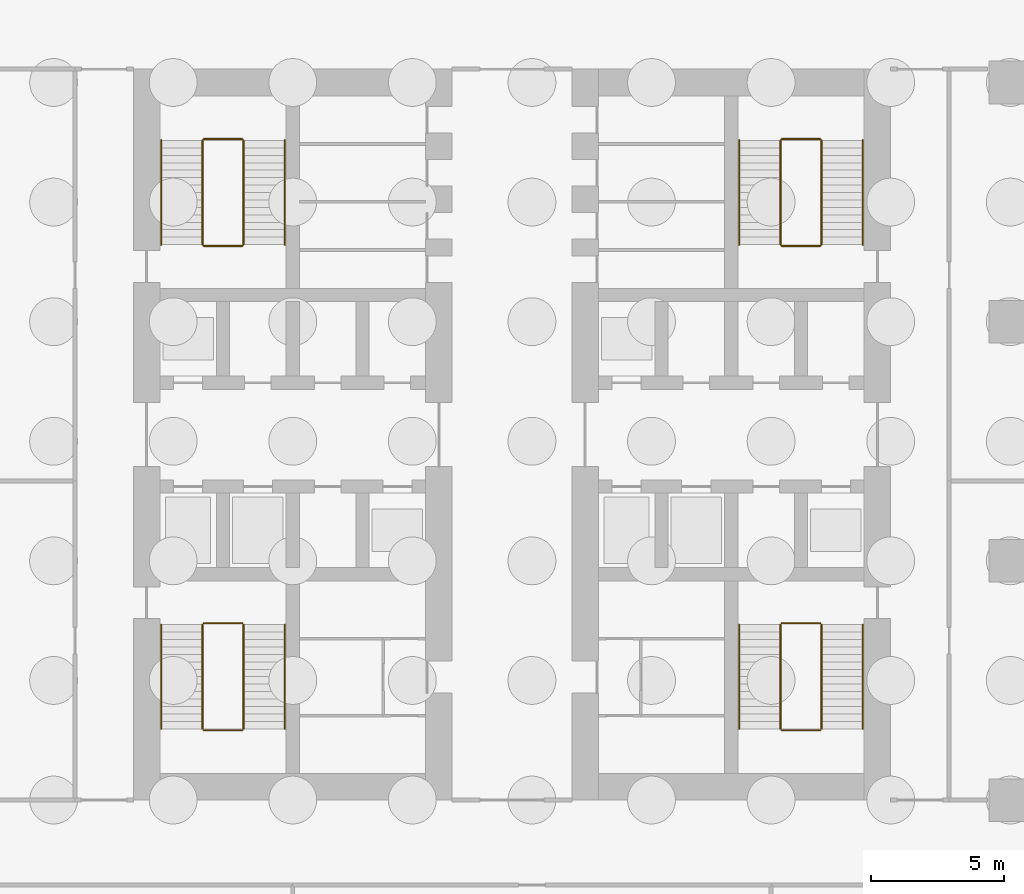
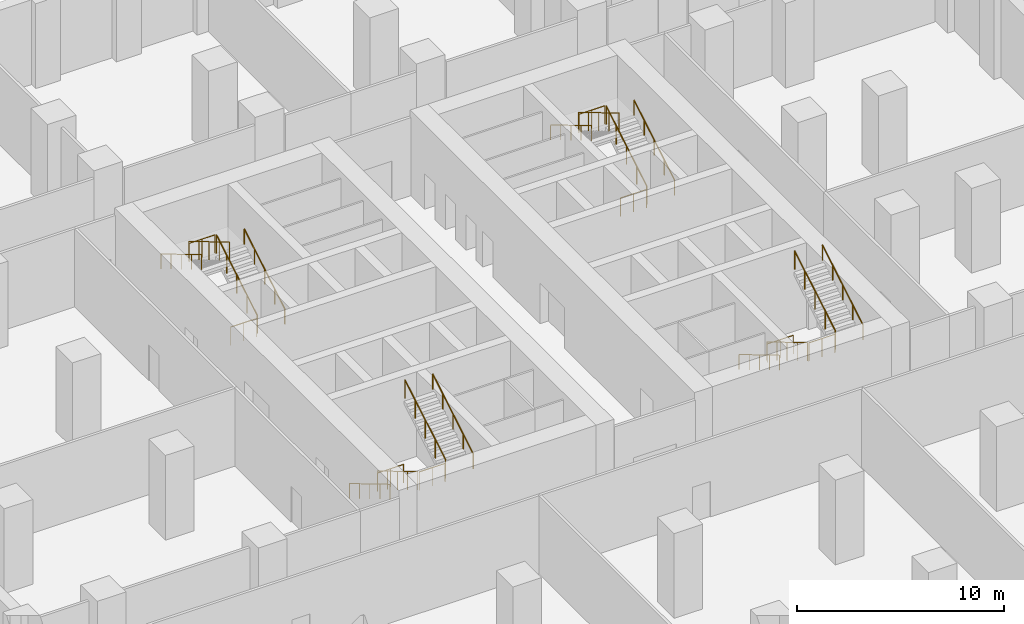
# One storey, part 8 of 9: 24 railings.
"""IFC4 building model written with IfcOpenShell, lengths in metres."""

from ifc_helpers import new_model, si_unit, direction, frame, origin, origin_2d, place, context, subcontext, project, spatial, circle, extrude, material, type_object, element, save


model = new_model("IFC4")

# Units and contexts
model_context = context("Model", 3, precision=1e-05, world=origin(), true_north=direction((0.0, 1.0)))
body_context = subcontext(model_context, "Body", "Model", "MODEL_VIEW")
ifc_project = project(units=[si_unit("LENGTHUNIT", "METRE"), si_unit("AREAUNIT", "SQUARE_METRE"), si_unit("VOLUMEUNIT", "CUBIC_METRE"), si_unit("PLANEANGLEUNIT", "RADIAN"), si_unit("MASSUNIT", "GRAM", prefix="KILO")], contexts=[model_context])

# Site, building, storey
site_placement = place(None, origin())
site = spatial("IfcSite", under=ifc_project, at=site_placement, CompositionType="ELEMENT")
building_placement = place(site_placement, origin())
building = spatial("IfcBuilding", under=site, at=building_placement, Name="Corbel Stack Research Tower", CompositionType="ELEMENT")
storey_placement = place(building_placement, frame((0.0, 0.0, -10.0)))
storey = spatial("IfcBuildingStorey", under=building, at=storey_placement, Name="B2", CompositionType="ELEMENT", Elevation=-10.0)

# Railings
ifc_material_1 = material(Name="Steel S355", Category="steel")
railing_type_1 = type_object("IfcRailingType", Name="Stair guard 1100", PredefinedType="GUARDRAIL", material=ifc_material_1)
railing_1_placement = place(storey_placement, frame((-7.89990234375, -2.39990234375, 0.166748046875)))
element("IfcRailing", 1, at=railing_1_placement, inside=storey, type_object=railing_type_1, Name="B2 ST-W1 stair guard 1", PredefinedType="GUARDRAIL", context=body_context, shape_type="SweptSolid", body=[
    extrude(circle(Radius=0.02392578125, at=origin_2d()), frame((0.0, 0.0, 1.076171875), z_axis=(0.0, -0.859310244771, 0.511454693235), x_axis=(1.0, 0.0, 0.0)), (0.0, 0.0, 1.0), 4.56201171875),
    extrude(circle(Radius=0.02099609375, at=origin_2d()), origin(), (0.0, 0.0, 1.0), 1.052001953125),
    extrude(circle(Radius=0.02099609375, at=origin_2d()), frame((0.0, -0.97998046875, 0.583251953125)), (0.0, 0.0, 1.0), 1.052001953125),
    extrude(circle(Radius=0.02099609375, at=origin_2d()), frame((0.0, -1.9599609375, 1.16650390625)), (0.0, 0.0, 1.0), 1.052001953125),
    extrude(circle(Radius=0.02099609375, at=origin_2d()), frame((0.0, -2.940185546875, 1.75)), (0.0, 0.0, 1.0), 1.052001953125),
    extrude(circle(Radius=0.02099609375, at=origin_2d()), frame((0.0, -3.920166015625, 2.333251953125)), (0.0, 0.0, 1.0), 1.052001953125),
])
railing_2_placement = place(storey_placement, frame((-7.85009765625, -6.3701171875, 2.5)))
element("IfcRailing", 2, at=railing_2_placement, inside=storey, type_object=railing_type_1, Name="B2 ST-W1 stair guard 2", PredefinedType="GUARDRAIL", context=body_context, shape_type="SweptSolid", body=[
    extrude(circle(Radius=0.02392578125, at=origin_2d()), frame((0.0, 0.0, 1.076171875), z_axis=(1.0, 0.0, 0.0), x_axis=(0.0, 1.0, 0.0)), (0.0, 0.0, 1.0), 1.4501953125),
    extrude(circle(Radius=0.02099609375, at=origin_2d()), origin(), (0.0, 0.0, 1.0), 1.052001953125),
    extrude(circle(Radius=0.02099609375, at=origin_2d()), frame((0.72509765625, 0.0, 0.0)), (0.0, 0.0, 1.0), 1.052001953125),
    extrude(circle(Radius=0.02099609375, at=origin_2d()), frame((1.4501953125, 0.0, 0.0)), (0.0, 0.0, 1.0), 1.052001953125),
])
railing_3_placement = place(storey_placement, frame((-6.35009765625, -6.320068359375, 2.666748046875)))
element("IfcRailing", 3, at=railing_3_placement, inside=storey, type_object=railing_type_1, Name="B2 ST-W1 stair guard 3", PredefinedType="GUARDRAIL", context=body_context, shape_type="SweptSolid", body=[
    extrude(circle(Radius=0.02392578125, at=origin_2d()), frame((0.0, 0.0, 1.076171875), z_axis=(0.0, 0.859310244771, 0.511454693235), x_axis=(-1.0, 0.0, 0.0)), (0.0, 0.0, 1.0), 4.56201171875),
    extrude(circle(Radius=0.02099609375, at=origin_2d()), origin(), (0.0, 0.0, 1.0), 1.052001953125),
    extrude(circle(Radius=0.02099609375, at=origin_2d()), frame((0.0, 0.97998046875, 0.583251953125)), (0.0, 0.0, 1.0), 1.052001953125),
    extrude(circle(Radius=0.02099609375, at=origin_2d()), frame((0.0, 1.9599609375, 1.16650390625)), (0.0, 0.0, 1.0), 1.052001953125),
    extrude(circle(Radius=0.02099609375, at=origin_2d()), frame((0.0, 2.940185546875, 1.75)), (0.0, 0.0, 1.0), 1.052001953125),
    extrude(circle(Radius=0.02099609375, at=origin_2d()), frame((0.0, 3.920166015625, 2.333251953125)), (0.0, 0.0, 1.0), 1.052001953125),
])
railing_4_placement = place(storey_placement, frame((-7.85009765625, -2.35009765625, 0.0)))
element("IfcRailing", 4, at=railing_4_placement, inside=storey, type_object=railing_type_1, Name="B2 ST-W1 stair guard 4", PredefinedType="GUARDRAIL", context=body_context, shape_type="SweptSolid", body=[
    extrude(circle(Radius=0.02392578125, at=origin_2d()), frame((0.0, 0.0, 1.076171875), z_axis=(1.0, 0.0, 0.0), x_axis=(0.0, 1.0, 0.0)), (0.0, 0.0, 1.0), 1.4501953125),
    extrude(circle(Radius=0.02099609375, at=origin_2d()), origin(), (0.0, 0.0, 1.0), 1.052001953125),
    extrude(circle(Radius=0.02099609375, at=origin_2d()), frame((0.72509765625, 0.0, 0.0)), (0.0, 0.0, 1.0), 1.052001953125),
    extrude(circle(Radius=0.02099609375, at=origin_2d()), frame((1.4501953125, 0.0, 0.0)), (0.0, 0.0, 1.0), 1.052001953125),
])
railing_5_placement = place(storey_placement, frame((-6.35009765625, 11.89990234375, 0.166748046875)))
element("IfcRailing", 5, at=railing_5_placement, inside=storey, type_object=railing_type_1, Name="B2 ST-W2 stair guard 1", PredefinedType="GUARDRAIL", context=body_context, shape_type="SweptSolid", body=[
    extrude(circle(Radius=0.02392578125, at=origin_2d()), frame((0.0, 0.0, 1.076171875), z_axis=(0.0, 0.859310244771, 0.511454693235), x_axis=(-1.0, 0.0, 0.0)), (0.0, 0.0, 1.0), 4.56201171875),
    extrude(circle(Radius=0.02099609375, at=origin_2d()), origin(), (0.0, 0.0, 1.0), 1.052001953125),
    extrude(circle(Radius=0.02099609375, at=origin_2d()), frame((0.0, 0.97998046875, 0.583251953125)), (0.0, 0.0, 1.0), 1.052001953125),
    extrude(circle(Radius=0.02099609375, at=origin_2d()), frame((0.0, 1.9599609375, 1.16650390625)), (0.0, 0.0, 1.0), 1.052001953125),
    extrude(circle(Radius=0.02099609375, at=origin_2d()), frame((0.0, 2.940185546875, 1.75)), (0.0, 0.0, 1.0), 1.052001953125),
    extrude(circle(Radius=0.02099609375, at=origin_2d()), frame((0.0, 3.920166015625, 2.333251953125)), (0.0, 0.0, 1.0), 1.052001953125),
])
railing_6_placement = place(storey_placement, frame((-6.39990234375, 15.8701171875, 2.5)))
element("IfcRailing", 6, at=railing_6_placement, inside=storey, type_object=railing_type_1, Name="B2 ST-W2 stair guard 2", PredefinedType="GUARDRAIL", context=body_context, shape_type="SweptSolid", body=[
    extrude(circle(Radius=0.02392578125, at=origin_2d()), frame((0.0, 0.0, 1.076171875), z_axis=(-1.0, 0.0, 0.0), x_axis=(0.0, -1.0, 0.0)), (0.0, 0.0, 1.0), 1.4501953125),
    extrude(circle(Radius=0.02099609375, at=origin_2d()), origin(), (0.0, 0.0, 1.0), 1.052001953125),
    extrude(circle(Radius=0.02099609375, at=origin_2d()), frame((-0.72509765625, 0.0, 0.0)), (0.0, 0.0, 1.0), 1.052001953125),
    extrude(circle(Radius=0.02099609375, at=origin_2d()), frame((-1.4501953125, 0.0, 0.0)), (0.0, 0.0, 1.0), 1.052001953125),
])
railing_7_placement = place(storey_placement, frame((-7.89990234375, 15.820068359375, 2.666748046875)))
element("IfcRailing", 7, at=railing_7_placement, inside=storey, type_object=railing_type_1, Name="B2 ST-W2 stair guard 3", PredefinedType="GUARDRAIL", context=body_context, shape_type="SweptSolid", body=[
    extrude(circle(Radius=0.02392578125, at=origin_2d()), frame((0.0, 0.0, 1.076171875), z_axis=(0.0, -0.859310244771, 0.511454693235), x_axis=(1.0, 0.0, 0.0)), (0.0, 0.0, 1.0), 4.56201171875),
    extrude(circle(Radius=0.02099609375, at=origin_2d()), origin(), (0.0, 0.0, 1.0), 1.052001953125),
    extrude(circle(Radius=0.02099609375, at=origin_2d()), frame((0.0, -0.97998046875, 0.583251953125)), (0.0, 0.0, 1.0), 1.052001953125),
    extrude(circle(Radius=0.02099609375, at=origin_2d()), frame((0.0, -1.9599609375, 1.16650390625)), (0.0, 0.0, 1.0), 1.052001953125),
    extrude(circle(Radius=0.02099609375, at=origin_2d()), frame((0.0, -2.940185546875, 1.75)), (0.0, 0.0, 1.0), 1.052001953125),
    extrude(circle(Radius=0.02099609375, at=origin_2d()), frame((0.0, -3.920166015625, 2.333251953125)), (0.0, 0.0, 1.0), 1.052001953125),
])
railing_8_placement = place(storey_placement, frame((-6.39990234375, 11.85009765625, 0.0)))
element("IfcRailing", 8, at=railing_8_placement, inside=storey, type_object=railing_type_1, Name="B2 ST-W2 stair guard 4", PredefinedType="GUARDRAIL", context=body_context, shape_type="SweptSolid", body=[
    extrude(circle(Radius=0.02392578125, at=origin_2d()), frame((0.0, 0.0, 1.076171875), z_axis=(-1.0, 0.0, 0.0), x_axis=(0.0, -1.0, 0.0)), (0.0, 0.0, 1.0), 1.4501953125),
    extrude(circle(Radius=0.02099609375, at=origin_2d()), origin(), (0.0, 0.0, 1.0), 1.052001953125),
    extrude(circle(Radius=0.02099609375, at=origin_2d()), frame((-0.72509765625, 0.0, 0.0)), (0.0, 0.0, 1.0), 1.052001953125),
    extrude(circle(Radius=0.02099609375, at=origin_2d()), frame((-1.4501953125, 0.0, 0.0)), (0.0, 0.0, 1.0), 1.052001953125),
])
railing_9_placement = place(storey_placement, frame((13.85009765625, -2.39990234375, 0.166748046875)))
element("IfcRailing", 9, at=railing_9_placement, inside=storey, type_object=railing_type_1, Name="B2 ST-E1 stair guard 1", PredefinedType="GUARDRAIL", context=body_context, shape_type="SweptSolid", body=[
    extrude(circle(Radius=0.02392578125, at=origin_2d()), frame((0.0, 0.0, 1.076171875), z_axis=(0.0, -0.859310244771, 0.511454693235), x_axis=(1.0, 0.0, 0.0)), (0.0, 0.0, 1.0), 4.56201171875),
    extrude(circle(Radius=0.02099609375, at=origin_2d()), origin(), (0.0, 0.0, 1.0), 1.052001953125),
    extrude(circle(Radius=0.02099609375, at=origin_2d()), frame((0.0, -0.97998046875, 0.583251953125)), (0.0, 0.0, 1.0), 1.052001953125),
    extrude(circle(Radius=0.02099609375, at=origin_2d()), frame((0.0, -1.9599609375, 1.16650390625)), (0.0, 0.0, 1.0), 1.052001953125),
    extrude(circle(Radius=0.02099609375, at=origin_2d()), frame((0.0, -2.940185546875, 1.75)), (0.0, 0.0, 1.0), 1.052001953125),
    extrude(circle(Radius=0.02099609375, at=origin_2d()), frame((0.0, -3.920166015625, 2.333251953125)), (0.0, 0.0, 1.0), 1.052001953125),
])
railing_10_placement = place(storey_placement, frame((13.89990234375, -6.3701171875, 2.5)))
element("IfcRailing", 10, at=railing_10_placement, inside=storey, type_object=railing_type_1, Name="B2 ST-E1 stair guard 2", PredefinedType="GUARDRAIL", context=body_context, shape_type="SweptSolid", body=[
    extrude(circle(Radius=0.02392578125, at=origin_2d()), frame((0.0, 0.0, 1.076171875), z_axis=(1.0, 0.0, 0.0), x_axis=(0.0, 1.0, 0.0)), (0.0, 0.0, 1.0), 1.4501953125),
    extrude(circle(Radius=0.02099609375, at=origin_2d()), origin(), (0.0, 0.0, 1.0), 1.052001953125),
    extrude(circle(Radius=0.02099609375, at=origin_2d()), frame((0.72509765625, 0.0, 0.0)), (0.0, 0.0, 1.0), 1.052001953125),
    extrude(circle(Radius=0.02099609375, at=origin_2d()), frame((1.4501953125, 0.0, 0.0)), (0.0, 0.0, 1.0), 1.052001953125),
])
railing_11_placement = place(storey_placement, frame((15.39990234375, -6.320068359375, 2.666748046875)))
element("IfcRailing", 11, at=railing_11_placement, inside=storey, type_object=railing_type_1, Name="B2 ST-E1 stair guard 3", PredefinedType="GUARDRAIL", context=body_context, shape_type="SweptSolid", body=[
    extrude(circle(Radius=0.02392578125, at=origin_2d()), frame((0.0, 0.0, 1.076171875), z_axis=(0.0, 0.859310244771, 0.511454693235), x_axis=(-1.0, 0.0, 0.0)), (0.0, 0.0, 1.0), 4.56201171875),
    extrude(circle(Radius=0.02099609375, at=origin_2d()), origin(), (0.0, 0.0, 1.0), 1.052001953125),
    extrude(circle(Radius=0.02099609375, at=origin_2d()), frame((0.0, 0.97998046875, 0.583251953125)), (0.0, 0.0, 1.0), 1.052001953125),
    extrude(circle(Radius=0.02099609375, at=origin_2d()), frame((0.0, 1.9599609375, 1.16650390625)), (0.0, 0.0, 1.0), 1.052001953125),
    extrude(circle(Radius=0.02099609375, at=origin_2d()), frame((0.0, 2.940185546875, 1.75)), (0.0, 0.0, 1.0), 1.052001953125),
    extrude(circle(Radius=0.02099609375, at=origin_2d()), frame((0.0, 3.920166015625, 2.333251953125)), (0.0, 0.0, 1.0), 1.052001953125),
])
railing_12_placement = place(storey_placement, frame((13.89990234375, -2.35009765625, 0.0)))
element("IfcRailing", 12, at=railing_12_placement, inside=storey, type_object=railing_type_1, Name="B2 ST-E1 stair guard 4", PredefinedType="GUARDRAIL", context=body_context, shape_type="SweptSolid", body=[
    extrude(circle(Radius=0.02392578125, at=origin_2d()), frame((0.0, 0.0, 1.076171875), z_axis=(1.0, 0.0, 0.0), x_axis=(0.0, 1.0, 0.0)), (0.0, 0.0, 1.0), 1.4501953125),
    extrude(circle(Radius=0.02099609375, at=origin_2d()), origin(), (0.0, 0.0, 1.0), 1.052001953125),
    extrude(circle(Radius=0.02099609375, at=origin_2d()), frame((0.72509765625, 0.0, 0.0)), (0.0, 0.0, 1.0), 1.052001953125),
    extrude(circle(Radius=0.02099609375, at=origin_2d()), frame((1.4501953125, 0.0, 0.0)), (0.0, 0.0, 1.0), 1.052001953125),
])
railing_13_placement = place(storey_placement, frame((15.39990234375, 11.89990234375, 0.166748046875)))
element("IfcRailing", 13, at=railing_13_placement, inside=storey, type_object=railing_type_1, Name="B2 ST-E2 stair guard 1", PredefinedType="GUARDRAIL", context=body_context, shape_type="SweptSolid", body=[
    extrude(circle(Radius=0.02392578125, at=origin_2d()), frame((0.0, 0.0, 1.076171875), z_axis=(0.0, 0.859310244771, 0.511454693235), x_axis=(-1.0, 0.0, 0.0)), (0.0, 0.0, 1.0), 4.56201171875),
    extrude(circle(Radius=0.02099609375, at=origin_2d()), origin(), (0.0, 0.0, 1.0), 1.052001953125),
    extrude(circle(Radius=0.02099609375, at=origin_2d()), frame((0.0, 0.97998046875, 0.583251953125)), (0.0, 0.0, 1.0), 1.052001953125),
    extrude(circle(Radius=0.02099609375, at=origin_2d()), frame((0.0, 1.9599609375, 1.16650390625)), (0.0, 0.0, 1.0), 1.052001953125),
    extrude(circle(Radius=0.02099609375, at=origin_2d()), frame((0.0, 2.940185546875, 1.75)), (0.0, 0.0, 1.0), 1.052001953125),
    extrude(circle(Radius=0.02099609375, at=origin_2d()), frame((0.0, 3.920166015625, 2.333251953125)), (0.0, 0.0, 1.0), 1.052001953125),
])
railing_14_placement = place(storey_placement, frame((15.35009765625, 15.8701171875, 2.5)))
element("IfcRailing", 14, at=railing_14_placement, inside=storey, type_object=railing_type_1, Name="B2 ST-E2 stair guard 2", PredefinedType="GUARDRAIL", context=body_context, shape_type="SweptSolid", body=[
    extrude(circle(Radius=0.02392578125, at=origin_2d()), frame((0.0, 0.0, 1.076171875), z_axis=(-1.0, 0.0, 0.0), x_axis=(0.0, -1.0, 0.0)), (0.0, 0.0, 1.0), 1.4501953125),
    extrude(circle(Radius=0.02099609375, at=origin_2d()), origin(), (0.0, 0.0, 1.0), 1.052001953125),
    extrude(circle(Radius=0.02099609375, at=origin_2d()), frame((-0.72509765625, 0.0, 0.0)), (0.0, 0.0, 1.0), 1.052001953125),
    extrude(circle(Radius=0.02099609375, at=origin_2d()), frame((-1.4501953125, 0.0, 0.0)), (0.0, 0.0, 1.0), 1.052001953125),
])
railing_15_placement = place(storey_placement, frame((13.85009765625, 15.820068359375, 2.666748046875)))
element("IfcRailing", 15, at=railing_15_placement, inside=storey, type_object=railing_type_1, Name="B2 ST-E2 stair guard 3", PredefinedType="GUARDRAIL", context=body_context, shape_type="SweptSolid", body=[
    extrude(circle(Radius=0.02392578125, at=origin_2d()), frame((0.0, 0.0, 1.076171875), z_axis=(0.0, -0.859310244771, 0.511454693235), x_axis=(1.0, 0.0, 0.0)), (0.0, 0.0, 1.0), 4.56201171875),
    extrude(circle(Radius=0.02099609375, at=origin_2d()), origin(), (0.0, 0.0, 1.0), 1.052001953125),
    extrude(circle(Radius=0.02099609375, at=origin_2d()), frame((0.0, -0.97998046875, 0.583251953125)), (0.0, 0.0, 1.0), 1.052001953125),
    extrude(circle(Radius=0.02099609375, at=origin_2d()), frame((0.0, -1.9599609375, 1.16650390625)), (0.0, 0.0, 1.0), 1.052001953125),
    extrude(circle(Radius=0.02099609375, at=origin_2d()), frame((0.0, -2.940185546875, 1.75)), (0.0, 0.0, 1.0), 1.052001953125),
    extrude(circle(Radius=0.02099609375, at=origin_2d()), frame((0.0, -3.920166015625, 2.333251953125)), (0.0, 0.0, 1.0), 1.052001953125),
])
railing_16_placement = place(storey_placement, frame((15.35009765625, 11.85009765625, 0.0)))
element("IfcRailing", 16, at=railing_16_placement, inside=storey, type_object=railing_type_1, Name="B2 ST-E2 stair guard 4", PredefinedType="GUARDRAIL", context=body_context, shape_type="SweptSolid", body=[
    extrude(circle(Radius=0.02392578125, at=origin_2d()), frame((0.0, 0.0, 1.076171875), z_axis=(-1.0, 0.0, 0.0), x_axis=(0.0, -1.0, 0.0)), (0.0, 0.0, 1.0), 1.4501953125),
    extrude(circle(Radius=0.02099609375, at=origin_2d()), origin(), (0.0, 0.0, 1.0), 1.052001953125),
    extrude(circle(Radius=0.02099609375, at=origin_2d()), frame((-0.72509765625, 0.0, 0.0)), (0.0, 0.0, 1.0), 1.052001953125),
    extrude(circle(Radius=0.02099609375, at=origin_2d()), frame((-1.4501953125, 0.0, 0.0)), (0.0, 0.0, 1.0), 1.052001953125),
])
ifc_material_2 = material(Name="Steel S355", Category="steel")
railing_type_2 = type_object("IfcRailingType", Name="Stair handrail 900", PredefinedType="HANDRAIL", material=ifc_material_2)
railing_17_placement = place(storey_placement, frame((-9.449951171875, -2.39990234375, 0.166748046875)))
element("IfcRailing", 17, at=railing_17_placement, inside=storey, type_object=railing_type_2, Name="B2 ST-W1 stair handrail 1", PredefinedType="HANDRAIL", context=body_context, shape_type="SweptSolid", body=[
    extrude(circle(Radius=0.02392578125, at=origin_2d()), frame((0.0, 0.0, 0.8759765625), z_axis=(0.0, -0.859310244771, 0.511454693235), x_axis=(1.0, 0.0, 0.0)), (0.0, 0.0, 1.0), 4.56201171875),
    extrude(circle(Radius=0.02099609375, at=origin_2d()), origin(), (0.0, 0.0, 1.0), 0.851806640625),
    extrude(circle(Radius=0.02099609375, at=origin_2d()), frame((0.0, -0.97998046875, 0.583251953125)), (0.0, 0.0, 1.0), 0.851806640625),
    extrude(circle(Radius=0.02099609375, at=origin_2d()), frame((0.0, -1.9599609375, 1.16650390625)), (0.0, 0.0, 1.0), 0.851806640625),
    extrude(circle(Radius=0.02099609375, at=origin_2d()), frame((0.0, -2.940185546875, 1.75)), (0.0, 0.0, 1.0), 0.851806640625),
    extrude(circle(Radius=0.02099609375, at=origin_2d()), frame((0.0, -3.920166015625, 2.333251953125)), (0.0, 0.0, 1.0), 0.851806640625),
])
for number, where, name in (
    (18, (-4.800048828125, -6.320068359375, 2.666748046875), "B2 ST-W1 stair handrail 2"),
    (19, (-4.800048828125, 11.89990234375, 0.166748046875), "B2 ST-W2 stair handrail 1"),
):
    element("IfcRailing", number, at=place(storey_placement, frame(where)), inside=storey, type_object=railing_type_2, Name=name, PredefinedType="HANDRAIL", context=body_context, shape_type="SweptSolid", body=[
        extrude(circle(Radius=0.02392578125, at=origin_2d()), frame((0.0, 0.0, 0.8759765625), z_axis=(0.0, 0.859310244771, 0.511454693235), x_axis=(-1.0, 0.0, 0.0)), (0.0, 0.0, 1.0), 4.56201171875),
        extrude(circle(Radius=0.02099609375, at=origin_2d()), origin(), (0.0, 0.0, 1.0), 0.851806640625),
        extrude(circle(Radius=0.02099609375, at=origin_2d()), frame((0.0, 0.97998046875, 0.583251953125)), (0.0, 0.0, 1.0), 0.851806640625),
        extrude(circle(Radius=0.02099609375, at=origin_2d()), frame((0.0, 1.9599609375, 1.16650390625)), (0.0, 0.0, 1.0), 0.851806640625),
        extrude(circle(Radius=0.02099609375, at=origin_2d()), frame((0.0, 2.940185546875, 1.75)), (0.0, 0.0, 1.0), 0.851806640625),
        extrude(circle(Radius=0.02099609375, at=origin_2d()), frame((0.0, 3.920166015625, 2.333251953125)), (0.0, 0.0, 1.0), 0.851806640625),
    ])
for number, where, name in (
    (20, (-9.449951171875, 15.820068359375, 2.666748046875), "B2 ST-W2 stair handrail 2"),
    (21, (12.300048828125, -2.39990234375, 0.166748046875), "B2 ST-E1 stair handrail 1"),
):
    element("IfcRailing", number, at=place(storey_placement, frame(where)), inside=storey, type_object=railing_type_2, Name=name, PredefinedType="HANDRAIL", context=body_context, shape_type="SweptSolid", body=[
        extrude(circle(Radius=0.02392578125, at=origin_2d()), frame((0.0, 0.0, 0.8759765625), z_axis=(0.0, -0.859310244771, 0.511454693235), x_axis=(1.0, 0.0, 0.0)), (0.0, 0.0, 1.0), 4.56201171875),
        extrude(circle(Radius=0.02099609375, at=origin_2d()), origin(), (0.0, 0.0, 1.0), 0.851806640625),
        extrude(circle(Radius=0.02099609375, at=origin_2d()), frame((0.0, -0.97998046875, 0.583251953125)), (0.0, 0.0, 1.0), 0.851806640625),
        extrude(circle(Radius=0.02099609375, at=origin_2d()), frame((0.0, -1.9599609375, 1.16650390625)), (0.0, 0.0, 1.0), 0.851806640625),
        extrude(circle(Radius=0.02099609375, at=origin_2d()), frame((0.0, -2.940185546875, 1.75)), (0.0, 0.0, 1.0), 0.851806640625),
        extrude(circle(Radius=0.02099609375, at=origin_2d()), frame((0.0, -3.920166015625, 2.333251953125)), (0.0, 0.0, 1.0), 0.851806640625),
    ])
for number, where, name in (
    (22, (16.949951171875, -6.320068359375, 2.666748046875), "B2 ST-E1 stair handrail 2"),
    (23, (16.949951171875, 11.89990234375, 0.166748046875), "B2 ST-E2 stair handrail 1"),
):
    element("IfcRailing", number, at=place(storey_placement, frame(where)), inside=storey, type_object=railing_type_2, Name=name, PredefinedType="HANDRAIL", context=body_context, shape_type="SweptSolid", body=[
        extrude(circle(Radius=0.02392578125, at=origin_2d()), frame((0.0, 0.0, 0.8759765625), z_axis=(0.0, 0.859310244771, 0.511454693235), x_axis=(-1.0, 0.0, 0.0)), (0.0, 0.0, 1.0), 4.56201171875),
        extrude(circle(Radius=0.02099609375, at=origin_2d()), origin(), (0.0, 0.0, 1.0), 0.851806640625),
        extrude(circle(Radius=0.02099609375, at=origin_2d()), frame((0.0, 0.97998046875, 0.583251953125)), (0.0, 0.0, 1.0), 0.851806640625),
        extrude(circle(Radius=0.02099609375, at=origin_2d()), frame((0.0, 1.9599609375, 1.16650390625)), (0.0, 0.0, 1.0), 0.851806640625),
        extrude(circle(Radius=0.02099609375, at=origin_2d()), frame((0.0, 2.940185546875, 1.75)), (0.0, 0.0, 1.0), 0.851806640625),
        extrude(circle(Radius=0.02099609375, at=origin_2d()), frame((0.0, 3.920166015625, 2.333251953125)), (0.0, 0.0, 1.0), 0.851806640625),
    ])
railing_18_placement = place(storey_placement, frame((12.300048828125, 15.820068359375, 2.666748046875)))
element("IfcRailing", 24, at=railing_18_placement, inside=storey, type_object=railing_type_2, Name="B2 ST-E2 stair handrail 2", PredefinedType="HANDRAIL", context=body_context, shape_type="SweptSolid", body=[
    extrude(circle(Radius=0.02392578125, at=origin_2d()), frame((0.0, 0.0, 0.8759765625), z_axis=(0.0, -0.859310244771, 0.511454693235), x_axis=(1.0, 0.0, 0.0)), (0.0, 0.0, 1.0), 4.56201171875),
    extrude(circle(Radius=0.02099609375, at=origin_2d()), origin(), (0.0, 0.0, 1.0), 0.851806640625),
    extrude(circle(Radius=0.02099609375, at=origin_2d()), frame((0.0, -0.97998046875, 0.583251953125)), (0.0, 0.0, 1.0), 0.851806640625),
    extrude(circle(Radius=0.02099609375, at=origin_2d()), frame((0.0, -1.9599609375, 1.16650390625)), (0.0, 0.0, 1.0), 0.851806640625),
    extrude(circle(Radius=0.02099609375, at=origin_2d()), frame((0.0, -2.940185546875, 1.75)), (0.0, 0.0, 1.0), 0.851806640625),
    extrude(circle(Radius=0.02099609375, at=origin_2d()), frame((0.0, -3.920166015625, 2.333251953125)), (0.0, 0.0, 1.0), 0.851806640625),
])

save(model, "model.ifc")
